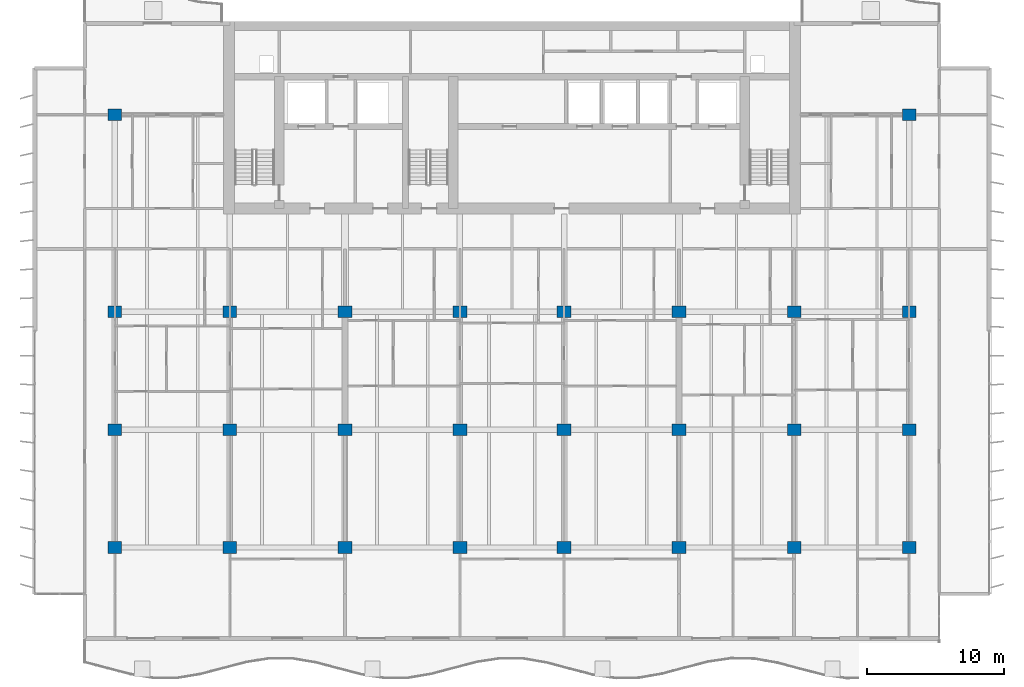
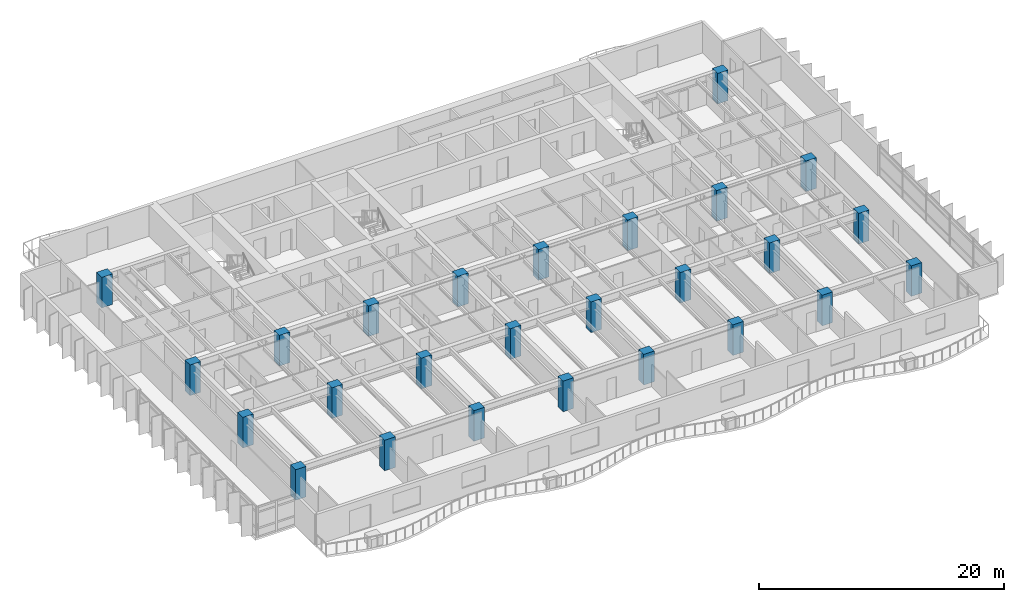
# One storey, part 1 of 15: 26 columns.
"""IFC4 building model written with IfcOpenShell, lengths in metres."""

from ifc_helpers import new_model, si_unit, direction, frame, origin, origin_2d, place, context, subcontext, project, spatial, rectangle, extrude, material, material_profile, profile_set, type_object, element, save


model = new_model("IFC4")

# Units and contexts
model_context = context("Model", 3, precision=1e-05, world=origin(), true_north=direction((0.0, 1.0)))
body_context = subcontext(model_context, "Body", "Model", "MODEL_VIEW")
ifc_project = project(units=[si_unit("LENGTHUNIT", "METRE"), si_unit("AREAUNIT", "SQUARE_METRE"), si_unit("VOLUMEUNIT", "CUBIC_METRE"), si_unit("PLANEANGLEUNIT", "RADIAN"), si_unit("MASSUNIT", "GRAM", prefix="KILO")], contexts=[model_context])

# Site, building, storey
site_placement = place(None, origin())
site = spatial("IfcSite", under=ifc_project, at=site_placement, CompositionType="ELEMENT")
building_placement = place(site_placement, origin())
building = spatial("IfcBuilding", under=site, at=building_placement, Name="Caelmar Bay Residences", CompositionType="ELEMENT")
storey_placement = place(building_placement, frame((0.0, 0.0, 138.89990234375)))
storey = spatial("IfcBuildingStorey", under=building, at=storey_placement, Name="L38", CompositionType="ELEMENT", Elevation=138.89990234375)

# Columns
ifc_material = material(Name="Concrete f'c 70 MPa (10,000 psi)", Category="concrete")
ifc_material_profile = material_profile(ifc_material, rectangle(XDim=1.0, YDim=0.85009765625, at=origin_2d()), Name="RC-COL-1000X850")
ifc_profile_set = profile_set([ifc_material_profile], Name="Concrete f'c 70 MPa (10,000 psi)")
column_type = type_object("IfcColumnType", Name="COL-RC-1000X850", PredefinedType="COLUMN", material=ifc_profile_set)
for number, where, z_axis, x_axis, name in (
    (1, (9.89990234375, 12.199951171875, 0.0), (0.0, 0.0, 1.0), (1.0, 0.0, 0.0), "L38 Column (9.90,12.20)"),
    (2, (18.300048828125, 12.199951171875, 0.0), (0.0, 0.0, 1.0), (1.0, 0.0, 0.0), "L38 Column (18.30,12.20)"),
    (3, (26.699951171875, 12.199951171875, 0.0), (0.0, 0.0, 1.0), (1.0, 0.0, 0.0), "L38 Column (26.70,12.20)"),
    (4, (35.10009765625, 12.199951171875, 0.0), (0.0, 0.0, 1.0), (1.0, 0.0, 0.0), "L38 Column (35.10,12.20)"),
    (5, (42.699951171875, 12.199951171875, 0.0), (0.0, 0.0, 1.0), (1.0, 0.0, 0.0), "L38 Column (42.70,12.20)"),
    (6, (51.10009765625, 12.199951171875, 0.0), (0.0, 0.0, 1.0), (1.0, 0.0, 0.0), "L38 Column (51.10,12.20)"),
    (7, (59.5, 12.199951171875, 0.0), (0.0, 0.0, 1.0), (1.0, 0.0, 0.0), "L38 Column (59.50,12.20)"),
    (8, (67.89990234375, 12.199951171875, 0.0), (0.0, 0.0, 1.0), (1.0, 0.0, 0.0), "L38 Column (67.90,12.20)"),
    (9, (9.89990234375, 20.800048828125, 0.0), (0.0, 0.0, 1.0), (1.0, 0.0, 0.0), "L38 Column (9.90,20.80)"),
    (10, (18.300048828125, 20.800048828125, 0.0), (0.0, 0.0, 1.0), (1.0, 0.0, 0.0), "L38 Column (18.30,20.80)"),
    (11, (26.699951171875, 20.800048828125, 0.0), (0.0, 0.0, 1.0), (1.0, 0.0, 0.0), "L38 Column (26.70,20.80)"),
    (12, (35.10009765625, 20.800048828125, 0.0), (0.0, 0.0, 1.0), (1.0, 0.0, 0.0), "L38 Column (35.10,20.80)"),
    (13, (42.699951171875, 20.800048828125, 0.0), (0.0, 0.0, 1.0), (1.0, 0.0, 0.0), "L38 Column (42.70,20.80)"),
    (14, (51.10009765625, 20.800048828125, 0.0), (0.0, 0.0, 1.0), (1.0, 0.0, 0.0), "L38 Column (51.10,20.80)"),
    (15, (59.5, 20.800048828125, 0.0), (0.0, 0.0, 1.0), (1.0, 0.0, 0.0), "L38 Column (59.50,20.80)"),
    (16, (67.89990234375, 20.800048828125, 0.0), (0.0, 0.0, 1.0), (1.0, 0.0, 0.0), "L38 Column (67.90,20.80)"),
    (17, (9.89990234375, 29.39990234375, 0.0), (0.0, 0.0, 1.0), (1.0, 0.0, 0.0), "L38 Column (9.90,29.40)"),
    (18, (18.300048828125, 29.39990234375, 0.0), (0.0, 0.0, 1.0), (1.0, 0.0, 0.0), "L38 Column (18.30,29.40)"),
    (19, (26.699951171875, 29.39990234375, 0.0), (0.0, 0.0, 1.0), (1.0, 0.0, 0.0), "L38 Column (26.70,29.40)"),
    (20, (35.10009765625, 29.39990234375, 0.0), (0.0, 0.0, 1.0), (1.0, 0.0, 0.0), "L38 Column (35.10,29.40)"),
    (21, (42.699951171875, 29.39990234375, 0.0), (0.0, 0.0, 1.0), (1.0, 0.0, 0.0), "L38 Column (42.70,29.40)"),
    (22, (51.10009765625, 29.39990234375, 0.0), (0.0, 0.0, 1.0), (1.0, 0.0, 0.0), "L38 Column (51.10,29.40)"),
    (23, (59.5, 29.39990234375, 0.0), (0.0, 0.0, 1.0), (1.0, 0.0, 0.0), "L38 Column (59.50,29.40)"),
    (24, (67.89990234375, 29.39990234375, 0.0), (0.0, 0.0, 1.0), (1.0, 0.0, 0.0), "L38 Column (67.90,29.40)"),
    (25, (9.89990234375, 43.800048828125, 0.0), (0.0, 0.0, 1.0), (1.0, 0.0, 0.0), "L38 Column (9.90,43.80)"),
    (26, (67.89990234375, 43.800048828125, 0.0), (0.0, 0.0, 1.0), (1.0, 0.0, 0.0), "L38 Column (67.90,43.80)"),
):
    element("IfcColumn", number, at=place(storey_placement, frame(where, z_axis=z_axis, x_axis=x_axis)), inside=storey, type_object=column_type, Name=name, PredefinedType="COLUMN", context=body_context, shape_type="SweptSolid", body=[
        extrude(rectangle(XDim=1.0, YDim=0.85009765625, at=origin_2d()), origin(), (0.0, 0.0, 1.0), 3.050048828125),
    ])

save(model, "model.ifc")
